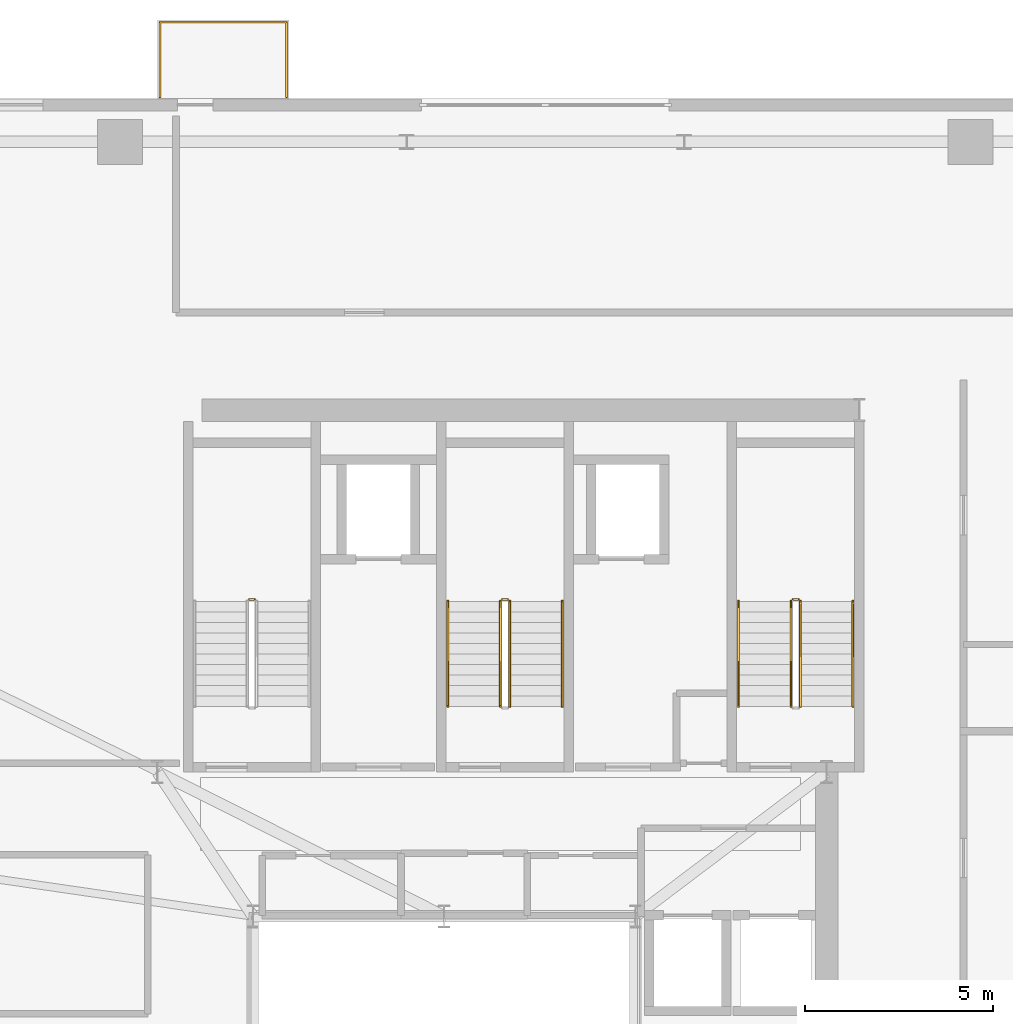
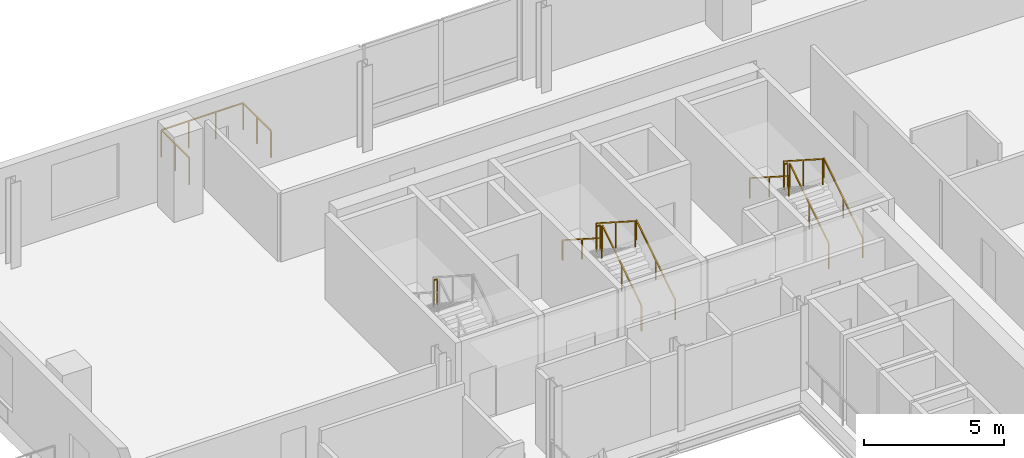
# One storey, part 15 of 15: 12 railings.
"""IFC4 building model written with IfcOpenShell, lengths in metres."""

from ifc_helpers import new_model, si_unit, direction, frame, origin, origin_2d, place, context, subcontext, project, spatial, rectangle, extrude, source, transform, mapped, material, type_object, element, save


model = new_model("IFC4")

# Units and contexts
model_context = context("Model", 3, precision=1e-05, world=origin(), true_north=direction((0.0, 1.0)))
body_context = subcontext(model_context, "Body", "Model", "MODEL_VIEW")
ifc_project = project(units=[si_unit("LENGTHUNIT", "METRE"), si_unit("AREAUNIT", "SQUARE_METRE"), si_unit("VOLUMEUNIT", "CUBIC_METRE"), si_unit("PLANEANGLEUNIT", "RADIAN"), si_unit("MASSUNIT", "GRAM", prefix="KILO")], contexts=[model_context])

# Site, building, storey
site_placement = place(None, origin())
site = spatial("IfcSite", under=ifc_project, at=site_placement, CompositionType="ELEMENT")
building_placement = place(site_placement, origin())
building = spatial("IfcBuilding", under=site, at=building_placement, Name="Vardaveli Station Tower", CompositionType="ELEMENT")
storey_placement = place(building_placement, frame((0.0, 0.0, 242.699951171875)))
storey = spatial("IfcBuildingStorey", under=building, at=storey_placement, Name="L62", CompositionType="ELEMENT", Elevation=242.699951171875)

# Railings
ifc_material_1 = material(Name="Laminated glass and stainless steel balustrade", Category="steel")
railing_type_1 = type_object("IfcRailingType", Name="RL-BAL-1200", PredefinedType="BALUSTRADE", material=ifc_material_1)
shared_shape_1 = source(origin(), body_context, "Body", "SweptSolid", [
    extrude(rectangle(XDim=0.048095703125, YDim=0.048095703125, at=origin_2d()), frame((0.0, 0.0, 1.17578125), z_axis=(0.0, 1.0, 0.0), x_axis=(-1.0, 0.0, 0.0)), (0.0, 0.0, 1.0), 2.0),
    extrude(rectangle(XDim=0.048095703125, YDim=0.048095703125, at=origin_2d()), frame((0.0, 2.0, 1.17578125), z_axis=(1.0, 0.0, 0.0), x_axis=(0.0, 1.0, 0.0)), (0.0, 0.0, 1.0), 3.3798828125),
    extrude(rectangle(XDim=0.048095703125, YDim=0.048095703125, at=origin_2d()), frame((3.3798828125, 2.0, 1.17578125), z_axis=(0.0, -1.0, 0.0), x_axis=(1.0, 0.0, 0.0)), (0.0, 0.0, 1.0), 2.0),
    extrude(rectangle(XDim=0.0419921875, YDim=0.0419921875, at=origin_2d()), origin(), (0.0, 0.0, 1.0), 1.15185546875),
    extrude(rectangle(XDim=0.0419921875, YDim=0.0419921875, at=origin_2d()), frame((0.0, 1.0, 0.0)), (0.0, 0.0, 1.0), 1.15185546875),
    extrude(rectangle(XDim=0.0419921875, YDim=0.0419921875, at=origin_2d()), frame((0.0, 2.0, 0.0)), (0.0, 0.0, 1.0), 1.15185546875),
    extrude(rectangle(XDim=0.0419921875, YDim=0.0419921875, at=origin_2d()), frame((1.126708984375, 2.0, 0.0)), (0.0, 0.0, 1.0), 1.15185546875),
    extrude(rectangle(XDim=0.0419921875, YDim=0.0419921875, at=origin_2d()), frame((2.253173828125, 2.0, 0.0)), (0.0, 0.0, 1.0), 1.15185546875),
    extrude(rectangle(XDim=0.0419921875, YDim=0.0419921875, at=origin_2d()), frame((3.3798828125, 2.0, 0.0)), (0.0, 0.0, 1.0), 1.15185546875),
    extrude(rectangle(XDim=0.0419921875, YDim=0.0419921875, at=origin_2d()), frame((3.3798828125, 1.0, 0.0)), (0.0, 0.0, 1.0), 1.15185546875),
    extrude(rectangle(XDim=0.0419921875, YDim=0.0419921875, at=origin_2d()), frame((3.3798828125, 0.0, 0.0)), (0.0, 0.0, 1.0), 1.15185546875),
])
railing_placement = place(storey_placement, frame((28.720458984375, 48.639892578125, 0.0)))
element("IfcRailing", 1, at=railing_placement, inside=storey, type_object=railing_type_1, Name="RL-LOG-L62-02", PredefinedType="BALUSTRADE", context=body_context, shape_type="MappedRepresentation", body=[
    mapped(shared_shape_1, transform((0.0, 0.0, 0.0), scale=1.0)),
])
ifc_material_2 = material(Name="Brushed AISI 316 stainless steel", Category="steel")
railing_type_2 = type_object("IfcRailingType", Name="RL-GUARD-1150", PredefinedType="GUARDRAIL", material=ifc_material_2)
shared_shape_2 = source(origin(), body_context, "Body", "SweptSolid", [
    extrude(rectangle(XDim=0.048095703125, YDim=0.048095703125, at=origin_2d()), frame((0.0, 0.0, 1.1259765625), z_axis=(-1.0, 0.0, 0.0), x_axis=(0.0, -1.0, 0.0)), (0.0, 0.0, 1.0), 0.14990234375),
    extrude(rectangle(XDim=0.0419921875, YDim=0.0419921875, at=origin_2d()), origin(), (0.0, 0.0, 1.0), 1.101806640625),
    extrude(rectangle(XDim=0.0419921875, YDim=0.0419921875, at=origin_2d()), frame((-0.14990234375, 0.0, 0.0)), (0.0, 0.0, 1.0), 1.101806640625),
])
for number, where, name in (
    (2, (31.25, 35.25, 1.97509765625), "L62 ST-1 stair guard 2"),
    (3, (38.0, 35.25, 1.97509765625), "L62 ST-2 stair guard 2"),
    (4, (45.75, 35.25, 1.97509765625), "L62 ST-3 stair guard 2"),
):
    element("IfcRailing", number, at=place(storey_placement, frame(where)), inside=storey, type_object=railing_type_2, Name=name, PredefinedType="GUARDRAIL", context=body_context, shape_type="MappedRepresentation", body=[
        mapped(shared_shape_2, transform((0.0, 0.0, 0.0), scale=1.0)),
    ])
shared_shape_3 = source(origin(), body_context, "Body", "SweptSolid", [
    extrude(rectangle(XDim=0.048095703125, YDim=0.048095703125, at=origin_2d()), frame((0.0, 0.0, 1.1259765625), z_axis=(0.0, 0.841809871826, 0.539774156196), x_axis=(-1.0, 0.0, 0.0)), (0.0, 0.0, 1.0), 3.326171875),
    extrude(rectangle(XDim=0.0419921875, YDim=0.0419921875, at=origin_2d()), origin(), (0.0, 0.0, 1.0), 1.101806640625),
    extrude(rectangle(XDim=0.0419921875, YDim=0.0419921875, at=origin_2d()), frame((0.0, 1.39990234375, 0.897705078125)), (0.0, 0.0, 1.0), 1.101806640625),
    extrude(rectangle(XDim=0.0419921875, YDim=0.0419921875, at=origin_2d()), frame((0.0, 2.800048828125, 1.79541015625)), (0.0, 0.0, 1.0), 1.101806640625),
])
for number, where, name in (
    (5, (38.050048828125, 32.39990234375, 0.1796875), "L62 ST-2 stair guard 1"),
    (6, (45.800048828125, 32.39990234375, 0.1796875), "L62 ST-3 stair guard 1"),
):
    element("IfcRailing", number, at=place(storey_placement, frame(where)), inside=storey, type_object=railing_type_2, Name=name, PredefinedType="GUARDRAIL", context=body_context, shape_type="MappedRepresentation", body=[
        mapped(shared_shape_3, transform((0.0, 0.0, 0.0), scale=1.0)),
    ])
shared_shape_4 = source(origin(), body_context, "Body", "SweptSolid", [
    extrude(rectangle(XDim=0.048095703125, YDim=0.048095703125, at=origin_2d()), frame((0.0, 0.0, 1.1259765625), z_axis=(0.0, -0.841809871826, 0.539774156196), x_axis=(1.0, 0.0, 0.0)), (0.0, 0.0, 1.0), 3.326171875),
    extrude(rectangle(XDim=0.0419921875, YDim=0.0419921875, at=origin_2d()), origin(), (0.0, 0.0, 1.0), 1.101806640625),
    extrude(rectangle(XDim=0.0419921875, YDim=0.0419921875, at=origin_2d()), frame((0.0, -1.39990234375, 0.897705078125)), (0.0, 0.0, 1.0), 1.101806640625),
    extrude(rectangle(XDim=0.0419921875, YDim=0.0419921875, at=origin_2d()), frame((0.0, -2.800048828125, 1.79541015625)), (0.0, 0.0, 1.0), 1.101806640625),
])
for number, where, name in (
    (7, (37.800048828125, 35.199951171875, 2.154541015625), "L62 ST-2 stair guard 3"),
    (8, (45.550048828125, 35.199951171875, 2.154541015625), "L62 ST-3 stair guard 3"),
):
    element("IfcRailing", number, at=place(storey_placement, frame(where)), inside=storey, type_object=railing_type_2, Name=name, PredefinedType="GUARDRAIL", context=body_context, shape_type="MappedRepresentation", body=[
        mapped(shared_shape_4, transform((0.0, 0.0, 0.0), scale=1.0)),
    ])
railing_type_3 = type_object("IfcRailingType", Name="RL-HAND-900", PredefinedType="HANDRAIL", material=ifc_material_2)
shared_shape_5 = source(origin(), body_context, "Body", "SweptSolid", [
    extrude(rectangle(XDim=0.048095703125, YDim=0.048095703125, at=origin_2d()), frame((0.0, 0.0, 0.8759765625), z_axis=(0.0, 0.841809871826, 0.539774156196), x_axis=(-1.0, 0.0, 0.0)), (0.0, 0.0, 1.0), 3.326171875),
    extrude(rectangle(XDim=0.0419921875, YDim=0.0419921875, at=origin_2d()), origin(), (0.0, 0.0, 1.0), 0.851806640625),
    extrude(rectangle(XDim=0.0419921875, YDim=0.0419921875, at=origin_2d()), frame((0.0, 1.39990234375, 0.897705078125)), (0.0, 0.0, 1.0), 0.851806640625),
    extrude(rectangle(XDim=0.0419921875, YDim=0.0419921875, at=origin_2d()), frame((0.0, 2.800048828125, 1.79541015625)), (0.0, 0.0, 1.0), 0.851806640625),
])
for number, where, name in (
    (9, (39.449951171875, 32.39990234375, 0.1796875), "L62 ST-2 stair handrail 1"),
    (10, (47.199951171875, 32.39990234375, 0.1796875), "L62 ST-3 stair handrail 1"),
):
    element("IfcRailing", number, at=place(storey_placement, frame(where)), inside=storey, type_object=railing_type_3, Name=name, PredefinedType="HANDRAIL", context=body_context, shape_type="MappedRepresentation", body=[
        mapped(shared_shape_5, transform((0.0, 0.0, 0.0), scale=1.0)),
    ])
shared_shape_6 = source(origin(), body_context, "Body", "SweptSolid", [
    extrude(rectangle(XDim=0.048095703125, YDim=0.048095703125, at=origin_2d()), frame((0.0, 0.0, 0.8759765625), z_axis=(0.0, -0.841809871826, 0.539774156196), x_axis=(1.0, 0.0, 0.0)), (0.0, 0.0, 1.0), 3.326171875),
    extrude(rectangle(XDim=0.0419921875, YDim=0.0419921875, at=origin_2d()), origin(), (0.0, 0.0, 1.0), 0.851806640625),
    extrude(rectangle(XDim=0.0419921875, YDim=0.0419921875, at=origin_2d()), frame((0.0, -1.39990234375, 0.897705078125)), (0.0, 0.0, 1.0), 0.851806640625),
    extrude(rectangle(XDim=0.0419921875, YDim=0.0419921875, at=origin_2d()), frame((0.0, -2.800048828125, 1.79541015625)), (0.0, 0.0, 1.0), 0.851806640625),
])
for number, where, name in (
    (11, (36.39990234375, 35.199951171875, 2.154541015625), "L62 ST-2 stair handrail 2"),
    (12, (44.14990234375, 35.199951171875, 2.154541015625), "L62 ST-3 stair handrail 2"),
):
    element("IfcRailing", number, at=place(storey_placement, frame(where)), inside=storey, type_object=railing_type_3, Name=name, PredefinedType="HANDRAIL", context=body_context, shape_type="MappedRepresentation", body=[
        mapped(shared_shape_6, transform((0.0, 0.0, 0.0), scale=1.0)),
    ])

save(model, "model.ifc")
